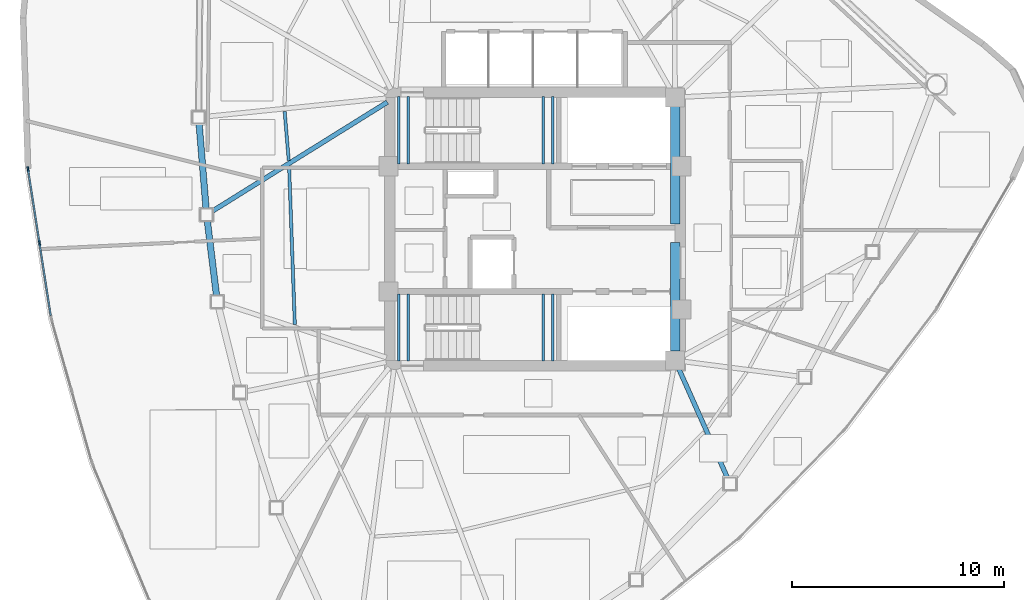
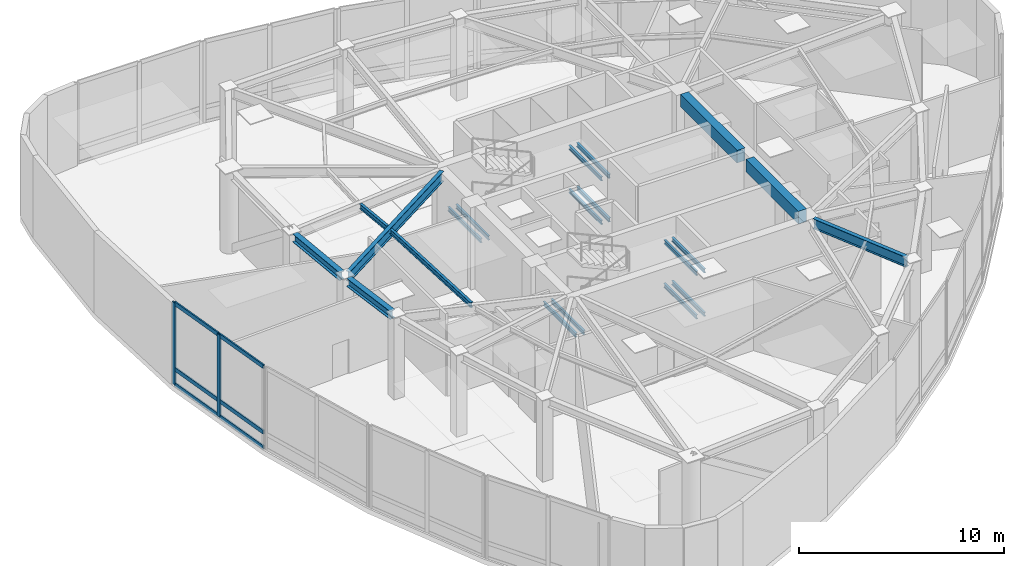
# One storey, part 3 of 12: 20 beams, 8 members, 1 element without a shape of its own.
"""IFC4 building model written with IfcOpenShell, lengths in metres."""

from ifc_helpers import new_model, si_unit, direction, frame, origin, origin_2d, place, context, subcontext, project, spatial, rectangle, hollow_rectangle, i_section, extrude, source, transform, mapped, material, layer, layer_set, material_profile, profile_set, type_object, type_shapes, element, aggregate, save


model = new_model("IFC4")

# Units and contexts
model_context = context("Model", 3, precision=1e-05, world=origin(), true_north=direction((0.0, 1.0)))
body_context = subcontext(model_context, "Body", "Model", "MODEL_VIEW")
ifc_project = project(units=[si_unit("LENGTHUNIT", "METRE"), si_unit("AREAUNIT", "SQUARE_METRE"), si_unit("VOLUMEUNIT", "CUBIC_METRE"), si_unit("PLANEANGLEUNIT", "RADIAN"), si_unit("MASSUNIT", "GRAM", prefix="KILO")], contexts=[model_context])

# Site, building, storey
site_placement = place(None, origin())
site = spatial("IfcSite", under=ifc_project, at=site_placement, CompositionType="ELEMENT")
building_placement = place(site_placement, origin())
building = spatial("IfcBuilding", under=site, at=building_placement, Name="Tavelor Broadcast Tower", CompositionType="ELEMENT")
storey_placement = place(building_placement, frame((0.0, 0.0, 216.949951171875)))
storey = spatial("IfcBuildingStorey", under=building, at=storey_placement, Name="L51", CompositionType="ELEMENT", Elevation=216.949951171875)

# Beams
ifc_material_1 = material(Name="Concrete C40/50", Category="concrete")
ifc_material_profile_1 = material_profile(ifc_material_1, rectangle(XDim=0.449951171875, YDim=0.75, at=origin_2d()), Name="RC 450x750")
ifc_profile_set_1 = profile_set([ifc_material_profile_1], Name="Concrete C40/50")
beam_type_1 = type_object("IfcBeamType", Name="Basement Core Trim Beam 450x750", PredefinedType="BEAM", material=ifc_profile_set_1)
beam_1_placement = place(storey_placement, frame((56.60009765625, 45.23193359375, 4.525146484375), z_axis=(0.0, 1.0, 0.0), x_axis=(-1.0, 0.0, 0.0)))
element("IfcBeam", 1, at=beam_1_placement, inside=storey, type_object=beam_type_1, Name="L51 Core East-N Tie Girder", PredefinedType="BEAM", context=body_context, shape_type="SweptSolid", body=[
    extrude(rectangle(XDim=0.449951171875, YDim=0.75, at=origin_2d()), origin(), (0.0, 0.0, 1.0), 5.5361328125),
])
beam_2_placement = place(storey_placement, frame((56.60009765625, 39.23193359375, 4.525146484375), z_axis=(0.0, 1.0, 0.0), x_axis=(-1.0, 0.0, 0.0)))
element("IfcBeam", 2, at=beam_2_placement, inside=storey, type_object=beam_type_1, Name="L51 Core East-S Tie Girder", PredefinedType="BEAM", context=body_context, shape_type="SweptSolid", body=[
    extrude(rectangle(XDim=0.449951171875, YDim=0.75, at=origin_2d()), origin(), (0.0, 0.0, 1.0), 5.135986328125),
])
ifc_material_2 = material(Name="Steel S355", Category="steel")
ifc_material_profile_2 = material_profile(ifc_material_2, i_section(OverallWidth=0.14990234375, OverallDepth=0.300048828125, WebThickness=0.007080078125, FlangeThickness=0.0107421875, at=origin_2d()), Name="IPE 300")
ifc_profile_set_2 = profile_set([ifc_material_profile_2], Name="Steel S355")
beam_type_2 = type_object("IfcBeamType", Name="Composite Floor Joist T5 IPE 300", PredefinedType="JOIST", material=ifc_profile_set_2)
beam_3_placement = place(storey_placement, frame((38.19580078125, 50.529541015625, 4.75), z_axis=(0.082940684636, -0.996554485631, 0.0), x_axis=(0.996554485631, 0.082940684636, 0.0)))
element("IfcBeam", 3, at=beam_3_placement, inside=storey, type_object=beam_type_2, Name="L51 Secondary Composite Floor Joist 02", PredefinedType="JOIST", context=body_context, shape_type="SweptSolid", body=[
    extrude(i_section(OverallWidth=0.14990234375, OverallDepth=0.300048828125, WebThickness=0.007080078125, FlangeThickness=0.0107421875, at=origin_2d()), origin(), (0.0, 0.0, 1.0), 2.313720703125),
])
beam_4_placement = place(storey_placement, frame((38.404296875, 47.945556640625, 4.75), z_axis=(0.036223057878, -0.999343729694, 0.0), x_axis=(0.999343729694, 0.036223057878, 0.0)))
element("IfcBeam", 4, at=beam_4_placement, inside=storey, type_object=beam_type_2, Name="L51 Secondary Composite Floor Joist 03", PredefinedType="JOIST", context=body_context, shape_type="SweptSolid", body=[
    extrude(i_section(OverallWidth=0.14990234375, OverallDepth=0.300048828125, WebThickness=0.007080078125, FlangeThickness=0.0107421875, at=origin_2d()), origin(), (0.0, 0.0, 1.0), 7.454345703125),
])
ifc_material_profile_3 = material_profile(ifc_material_2, i_section(OverallWidth=0.300048828125, OverallDepth=0.489990234375, WebThickness=0.011962890625, FlangeThickness=0.02294921875, at=origin_2d()), Name="HEA 500")
ifc_profile_set_3 = profile_set([ifc_material_profile_3], Name="Steel S355")
beam_type_3 = type_object("IfcBeamType", Name="Perimeter Spandrel Beam T5 HEA 500", PredefinedType="SPANDREL", material=ifc_profile_set_3)
beam_5_placement = place(storey_placement, frame((34.16064453125, 49.968994140625, 4.655029296875), z_axis=(0.081762275835, -0.996651860105, 0.0), x_axis=(0.996651860105, 0.081762275835, 0.0)))
element("IfcBeam", 5, at=beam_5_placement, inside=storey, type_object=beam_type_3, Name="L51 Framed-Tube Ring Spandrel 02", PredefinedType="SPANDREL", context=body_context, shape_type="SweptSolid", body=[
    extrude(i_section(OverallWidth=0.300048828125, OverallDepth=0.489990234375, WebThickness=0.011962890625, FlangeThickness=0.02294921875, at=origin_2d()), origin(), (0.0, 0.0, 1.0), 4.031005859375),
])
beam_6_placement = place(storey_placement, frame((34.548828125, 45.378662109375, 4.655029296875), z_axis=(0.122285270418, -0.99249499376, 0.0), x_axis=(0.99249499376, 0.122285270418, 0.0)))
element("IfcBeam", 6, at=beam_6_placement, inside=storey, type_object=beam_type_3, Name="L51 Framed-Tube Ring Spandrel 03", PredefinedType="SPANDREL", context=body_context, shape_type="SweptSolid", body=[
    extrude(i_section(OverallWidth=0.300048828125, OverallDepth=0.489990234375, WebThickness=0.011962890625, FlangeThickness=0.02294921875, at=origin_2d()), origin(), (0.0, 0.0, 1.0), 3.5556640625),
])
ifc_material_profile_4 = material_profile(ifc_material_2, i_section(OverallWidth=0.219970703125, OverallDepth=0.60009765625, WebThickness=0.011962890625, FlangeThickness=0.01904296875, at=origin_2d()), Name="IPE 600")
ifc_profile_set_4 = profile_set([ifc_material_profile_4], Name="Steel S355")
beam_type_4 = type_object("IfcBeamType", Name="Radial Floor Girder T5 IPE 600", PredefinedType="BEAM", material=ifc_profile_set_4)
beam_7_placement = place(storey_placement, frame((43.033203125, 50.9716796875, 4.60009765625), z_axis=(-0.848782406462, -0.528742306309, 0.0), x_axis=(0.528742306309, -0.848782406462, 0.0)))
element("IfcBeam", 7, at=beam_7_placement, inside=storey, type_object=beam_type_4, Name="L51 Radial Primary Floor Girder 03", PredefinedType="BEAM", context=body_context, shape_type="SweptSolid", body=[
    extrude(i_section(OverallWidth=0.219970703125, OverallDepth=0.60009765625, WebThickness=0.011962890625, FlangeThickness=0.01904296875, at=origin_2d()), origin(), (0.0, 0.0, 1.0), 9.7490234375),
])
beam_8_placement = place(storey_placement, frame((56.77587890625, 38.405517578125, 4.60009765625), z_axis=(0.407317885502, -0.913286450217, 0.0), x_axis=(0.913286450217, 0.407317885502, 0.0)))
element("IfcBeam", 8, at=beam_8_placement, inside=storey, type_object=beam_type_4, Name="L51 Radial Primary Floor Girder 10", PredefinedType="BEAM", context=body_context, shape_type="SweptSolid", body=[
    extrude(i_section(OverallWidth=0.219970703125, OverallDepth=0.60009765625, WebThickness=0.011962890625, FlangeThickness=0.01904296875, at=origin_2d()), origin(), (0.0, 0.0, 1.0), 5.64501953125),
])
ifc_material_profile_5 = material_profile(ifc_material_2, i_section(OverallWidth=0.1201171875, OverallDepth=0.239990234375, WebThickness=0.006103515625, FlangeThickness=0.009765625, at=origin_2d()), Name="IPE 240")
ifc_profile_set_5 = profile_set([ifc_material_profile_5], Name="Steel S355")
beam_type_5 = type_object("IfcBeamType", Name="Stairwell Landing Support Trimmer Beam IPE240", PredefinedType="BEAM", material=ifc_profile_set_5)
for number, where, z_axis, x_axis, name in (
    (9, (50.385009765625, 48.06005859375, 0.985107421875), (0.0, 1.0, 0.0), (-1.0, 0.0, 0.0), "L51 Stair Landing Support Beam 139"),
    (10, (50.824951171875, 48.06005859375, 0.985107421875), (0.0, 1.0, 0.0), (-1.0, 0.0, 0.0), "L51 Stair Landing Support Beam 140"),
    (11, (43.574951171875, 48.06005859375, 2.28515625), (0.0, 1.0, 0.0), (-1.0, 0.0, 0.0), "L51 Stair Landing Support Beam 141"),
    (12, (44.014892578125, 48.06005859375, 2.28515625), (0.0, 1.0, 0.0), (-1.0, 0.0, 0.0), "L51 Stair Landing Support Beam 142"),
    (13, (50.385009765625, 48.06005859375, 3.5849609375), (0.0, 1.0, 0.0), (-1.0, 0.0, 0.0), "L51 Stair Landing Support Beam 143"),
    (14, (50.824951171875, 48.06005859375, 3.5849609375), (0.0, 1.0, 0.0), (-1.0, 0.0, 0.0), "L51 Stair Landing Support Beam 144"),
    (15, (50.385009765625, 38.760009765625, 0.985107421875), (0.0, 1.0, 0.0), (-1.0, 0.0, 0.0), "L51 Stair Landing Support Beam 353"),
    (16, (50.824951171875, 38.760009765625, 0.985107421875), (0.0, 1.0, 0.0), (-1.0, 0.0, 0.0), "L51 Stair Landing Support Beam 354"),
    (17, (43.574951171875, 38.760009765625, 2.28515625), (0.0, 1.0, 0.0), (-1.0, 0.0, 0.0), "L51 Stair Landing Support Beam 355"),
    (18, (44.014892578125, 38.760009765625, 2.28515625), (0.0, 1.0, 0.0), (-1.0, 0.0, 0.0), "L51 Stair Landing Support Beam 356"),
    (19, (50.385009765625, 38.760009765625, 3.5849609375), (0.0, 1.0, 0.0), (-1.0, 0.0, 0.0), "L51 Stair Landing Support Beam 357"),
    (20, (50.824951171875, 38.760009765625, 3.5849609375), (0.0, 1.0, 0.0), (-1.0, 0.0, 0.0), "L51 Stair Landing Support Beam 358"),
):
    element("IfcBeam", number, at=place(storey_placement, frame(where, z_axis=z_axis, x_axis=x_axis)), inside=storey, type_object=beam_type_5, Name=name, PredefinedType="BEAM", context=body_context, shape_type="SweptSolid", body=[
        extrude(i_section(OverallWidth=0.1201171875, OverallDepth=0.239990234375, WebThickness=0.006103515625, FlangeThickness=0.009765625, at=origin_2d()), origin(), (0.0, 0.0, 1.0), 3.179931640625),
    ])

# Curtain wall, members
ifc_material_3 = material(Name="Architectural Anodized Aluminium", Category="aluminium")
ifc_layer = layer(ifc_material_3, 0.239990234375)
ifc_layer_set = layer_set([ifc_layer], Name="Architectural Anodized Aluminium")
curtain_wall_type = type_object("IfcCurtainWallType", Name="Sky Lobby Feature Structural Curtain Wall CW05", PredefinedType="NOTDEFINED", material=ifc_layer_set)
curtain_wall_placement = place(storey_placement, origin())
curtain_wall = element("IfcCurtainWall", 21, at=curtain_wall_placement, inside=storey, type_object=curtain_wall_type, Name="L51 Curtain Wall CW05 Run 541", PredefinedType="NOTDEFINED")
ifc_material_profile_6 = material_profile(ifc_material_3, hollow_rectangle(XDim=0.080078125, YDim=0.239990234375, WallThickness=0.02197265625, at=origin_2d()), Name="RHS 80x240x22")
ifc_profile_set_6 = profile_set([ifc_material_profile_6], Name="Architectural Anodized Aluminium")
member_type_1 = type_object("IfcMemberType", Name="CW05 Extruded Aluminium Mullion 80x240", PredefinedType="MULLION", material=ifc_profile_set_6)
shared_shape_1 = source(origin(), body_context, "Body", "SweptSolid", [
    extrude(hollow_rectangle(XDim=0.080078125, YDim=0.239990234375, WallThickness=0.02197265625, at=origin_2d()), origin(), (0.0, 0.0, 1.0), 4.900146484375),
])
type_shapes(member_type_1, [shared_shape_1])
member_1_placement = place(storey_placement, frame((26.09716796875, 47.80517578125, 0.0), z_axis=(0.0, 0.0, 1.0), x_axis=(0.988162463311, 0.153411036448, 0.0)))
member_1 = element("IfcMember", 22, at=member_1_placement, type_object=member_type_1, Name="CW05 mullion 1", PredefinedType="MULLION", context=body_context, shape_type="MappedRepresentation", body=[
    mapped(shared_shape_1, transform((0.0, 0.0, 0.0), scale=1.0)),
])
member_2_placement = place(storey_placement, frame((26.635986328125, 44.334716796875, 0.0), z_axis=(0.0, 0.0, 1.0), x_axis=(0.988162463311, 0.153411036448, 0.0)))
member_2 = element("IfcMember", 23, at=member_2_placement, type_object=member_type_1, Name="CW05 mullion 2", PredefinedType="MULLION", context=body_context, shape_type="MappedRepresentation", body=[
    mapped(shared_shape_1, transform((0.0, 0.0, 0.0), scale=1.0)),
])
ifc_material_profile_7 = material_profile(ifc_material_3, hollow_rectangle(XDim=0.080078125, YDim=0.239990234375, WallThickness=0.02197265625, at=origin_2d()), Name="RHS 80x240x22")
ifc_profile_set_7 = profile_set([ifc_material_profile_7], Name="Architectural Anodized Aluminium")
member_type_2 = type_object("IfcMemberType", Name="CW05 Extruded Aluminium Transom 80x240", PredefinedType="USERDEFINED", material=ifc_profile_set_7)
shared_shape_2 = source(origin(), body_context, "Body", "SweptSolid", [
    extrude(hollow_rectangle(XDim=0.080078125, YDim=0.239990234375, WallThickness=0.02197265625, at=origin_2d()), origin(), (0.0, 0.0, 1.0), 3.431884765625),
])
member_3_placement = place(storey_placement, frame((26.103271484375, 47.765625, 0.0400390625), z_axis=(0.153441524915, -0.988157729531, 0.0), x_axis=(0.988157729531, 0.153441524915, 0.0)))
member_3 = element("IfcMember", 24, at=member_3_placement, type_object=member_type_2, Name="CW05 transom 1.1", ObjectType="TRANSOM", PredefinedType="USERDEFINED", context=body_context, shape_type="MappedRepresentation", body=[
    mapped(shared_shape_2, transform((0.0, 0.0, 0.0), scale=1.0)),
])
member_4_placement = place(storey_placement, frame((26.103271484375, 47.765625, 0.949951171875), z_axis=(0.153441524915, -0.988157729531, 0.0), x_axis=(0.988157729531, 0.153441524915, 0.0)))
member_4 = element("IfcMember", 25, at=member_4_placement, type_object=member_type_2, Name="CW05 transom 1.2", ObjectType="TRANSOM", PredefinedType="USERDEFINED", context=body_context, shape_type="MappedRepresentation", body=[
    mapped(shared_shape_2, transform((0.0, 0.0, 0.0), scale=1.0)),
])
member_5_placement = place(storey_placement, frame((26.103271484375, 47.765625, 4.860107421875), z_axis=(0.153441524915, -0.988157729531, 0.0), x_axis=(0.988157729531, 0.153441524915, 0.0)))
member_5 = element("IfcMember", 26, at=member_5_placement, type_object=member_type_2, Name="CW05 transom 1.3", ObjectType="TRANSOM", PredefinedType="USERDEFINED", context=body_context, shape_type="MappedRepresentation", body=[
    mapped(shared_shape_2, transform((0.0, 0.0, 0.0), scale=1.0)),
])
shared_shape_3 = source(origin(), body_context, "Body", "SweptSolid", [
    extrude(hollow_rectangle(XDim=0.080078125, YDim=0.239990234375, WallThickness=0.02197265625, at=origin_2d()), origin(), (0.0, 0.0, 1.0), 3.431640625),
])
type_shapes(member_type_2, [shared_shape_2, shared_shape_3])
member_6_placement = place(storey_placement, frame((26.64208984375, 44.295166015625, 0.0400390625), z_axis=(0.153382844234, -0.988166839706, 0.0), x_axis=(0.988166839706, 0.153382844234, 0.0)))
member_6 = element("IfcMember", 27, at=member_6_placement, type_object=member_type_2, Name="CW05 transom 2.1", ObjectType="TRANSOM", PredefinedType="USERDEFINED", context=body_context, shape_type="MappedRepresentation", body=[
    mapped(shared_shape_3, transform((0.0, 0.0, 0.0), scale=1.0)),
])
member_7_placement = place(storey_placement, frame((26.64208984375, 44.295166015625, 0.949951171875), z_axis=(0.153382844234, -0.988166839706, 0.0), x_axis=(0.988166839706, 0.153382844234, 0.0)))
member_7 = element("IfcMember", 28, at=member_7_placement, type_object=member_type_2, Name="CW05 transom 2.2", ObjectType="TRANSOM", PredefinedType="USERDEFINED", context=body_context, shape_type="MappedRepresentation", body=[
    mapped(shared_shape_3, transform((0.0, 0.0, 0.0), scale=1.0)),
])
member_8_placement = place(storey_placement, frame((26.64208984375, 44.295166015625, 4.860107421875), z_axis=(0.153382844234, -0.988166839706, 0.0), x_axis=(0.988166839706, 0.153382844234, 0.0)))
member_8 = element("IfcMember", 29, at=member_8_placement, type_object=member_type_2, Name="CW05 transom 2.3", ObjectType="TRANSOM", PredefinedType="USERDEFINED", context=body_context, shape_type="MappedRepresentation", body=[
    mapped(shared_shape_3, transform((0.0, 0.0, 0.0), scale=1.0)),
])
aggregate(curtain_wall, [member_1, member_2, member_3, member_4, member_5, member_6, member_7, member_8])

save(model, "model.ifc")
